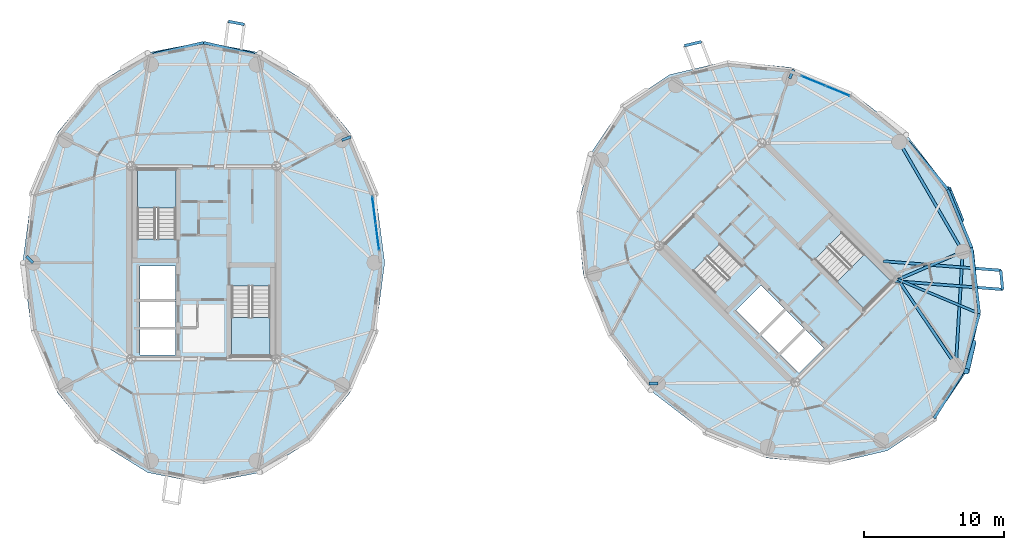
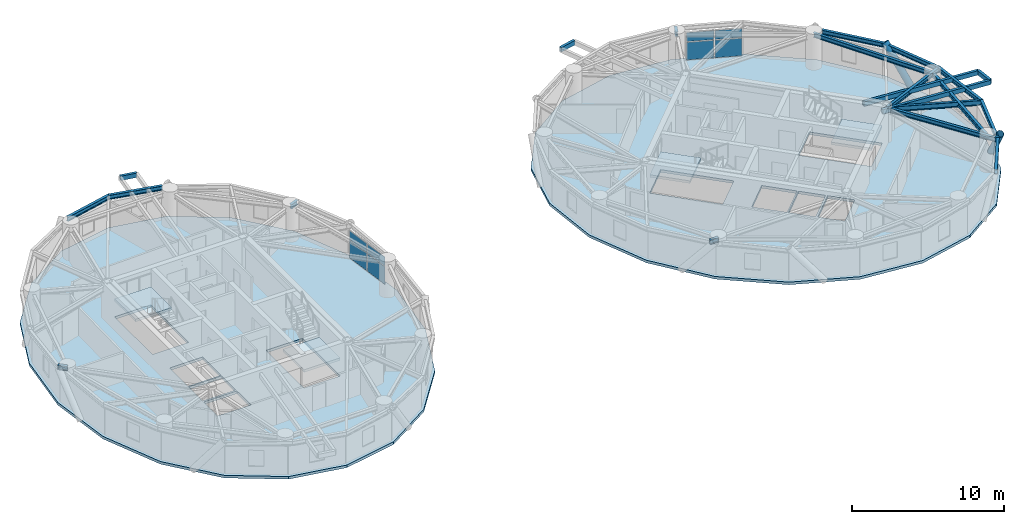
# One storey, part 7 of 16: 21 beams, 8 plates, 6 slabs, 2 members, 6 elements without a shape of their own.
"""IFC4 building model written with IfcOpenShell, lengths in metres."""

from ifc_helpers import new_model, si_unit, direction, frame, origin, origin_2d, place, context, subcontext, project, spatial, polyline, rectangle, hollow_rectangle, hollow_circle, i_section, outline, extrude, source, transform, mapped, material, layer, layer_set, material_profile, profile_set, type_object, element, aggregate, save


model = new_model("IFC4")

# Units and contexts
model_context = context("Model", 3, precision=1e-05, world=origin(), true_north=direction((0.0, 1.0)))
body_context = subcontext(model_context, "Body", "Model", "MODEL_VIEW")
ifc_project = project(units=[si_unit("LENGTHUNIT", "METRE"), si_unit("AREAUNIT", "SQUARE_METRE"), si_unit("VOLUMEUNIT", "CUBIC_METRE"), si_unit("PLANEANGLEUNIT", "RADIAN"), si_unit("MASSUNIT", "GRAM", prefix="KILO")], contexts=[model_context])

# Site, building, storey
site_placement = place(None, origin())
site = spatial("IfcSite", under=ifc_project, at=site_placement, CompositionType="ELEMENT")
building_placement = place(site_placement, origin())
building = spatial("IfcBuilding", under=site, at=building_placement, Name="Cununo Teusaquillo Station Towers", CompositionType="ELEMENT")
storey_placement = place(building_placement, frame((0.0, 0.0, 211.2099609375)))
storey = spatial("IfcBuildingStorey", under=building, at=storey_placement, Name="L67", CompositionType="ELEMENT", Elevation=211.2099609375)

# Beams
ifc_material_1 = material(Name="Steel EN 10025-2 S355J2", Category="steel")
ifc_material_profile_1 = material_profile(ifc_material_1, hollow_rectangle(XDim=0.199951171875, YDim=0.35009765625, WallThickness=0.013916015625, at=origin_2d()), Name="RHS 350x200x14")
ifc_profile_set_1 = profile_set([ifc_material_profile_1], Name="Steel EN 10025-2 S355J2")
beam_type_1 = type_object("IfcBeamType", Name="BM-BAL-CANT", PredefinedType="BEAM", material=ifc_profile_set_1)
beam_1_placement = place(storey_placement, frame((65.602783203125, 23.1982421875, 2.525146484375), z_axis=(0.997032447952, -0.076982450804, 0.0), x_axis=(0.076982450804, 0.997032447952, 0.0)))
element("IfcBeam", 1, at=beam_1_placement, inside=storey, type_object=beam_type_1, Name="L67 Tower B Balcony Cantilever Bracket 2A", PredefinedType="BEAM", context=body_context, shape_type="SweptSolid", body=[
    extrude(hollow_rectangle(XDim=0.199951171875, YDim=0.35009765625, WallThickness=0.013916015625, at=origin_2d()), origin(), (0.0, 0.0, 1.0), 7.89990234375),
])
beam_2_placement = place(storey_placement, frame((64.966064453125, 24.599853515625, 2.525146484375), z_axis=(0.997033941401, -0.076963106063, 0.0), x_axis=(0.076963106063, 0.997033941401, 0.0)))
element("IfcBeam", 2, at=beam_2_placement, inside=storey, type_object=beam_type_1, Name="L67 Tower B Balcony Cantilever Bracket 2B", PredefinedType="BEAM", context=body_context, shape_type="SweptSolid", body=[
    extrude(hollow_rectangle(XDim=0.199951171875, YDim=0.35009765625, WallThickness=0.013916015625, at=origin_2d()), origin(), (0.0, 0.0, 1.0), 8.403076171875),
])
ifc_material_2 = material(Name="Steel ASTM A572 Grade 50", Category="steel")
ifc_material_profile_2 = material_profile(ifc_material_2, i_section(OverallWidth=0.180908203125, OverallDepth=0.4169921875, WebThickness=0.010986328125, FlangeThickness=0.018310546875, FilletRadius=0.012939453125, at=origin_2d()), Name="W16X57")
ifc_profile_set_2 = profile_set([ifc_material_profile_2], Name="Steel ASTM A572 Grade 50")
beam_type_2 = type_object("IfcBeamType", Name="BM-JOIST-1", PredefinedType="JOIST", material=ifc_profile_set_2)
beam_3_placement = place(storey_placement, frame((66.024169921875, 23.29443359375, 2.491455078125), z_axis=(0.922169338565, -0.386786389381, 0.0), x_axis=(0.386786389381, 0.922169338565, 0.0)))
element("IfcBeam", 3, at=beam_3_placement, inside=storey, type_object=beam_type_2, Name="L67 Tower B Radial Spandrel Joist V17", PredefinedType="JOIST", context=body_context, shape_type="SweptSolid", body=[
    extrude(i_section(OverallWidth=0.180908203125, OverallDepth=0.4169921875, WebThickness=0.010986328125, FlangeThickness=0.018310546875, FilletRadius=0.012939453125, at=origin_2d()), origin(), (0.0, 0.0, 1.0), 6.281005859375),
])
ifc_material_3 = material(Name="Steel ASTM A572 Grade 50", Category="steel")
ifc_material_profile_3 = material_profile(ifc_material_3, i_section(OverallWidth=0.2041015625, OverallDepth=0.35009765625, WebThickness=0.008544921875, FlangeThickness=0.01513671875, FilletRadius=0.011962890625, at=origin_2d()), Name="W14X48")
ifc_profile_set_3 = profile_set([ifc_material_profile_3], Name="Steel ASTM A572 Grade 50")
beam_type_3 = type_object("IfcBeamType", Name="BM-RAD-G3", PredefinedType="BEAM", material=ifc_profile_set_3)
beam_4_placement = place(storey_placement, frame((26.347412109375, 33.228515625, 2.525146484375), z_axis=(0.929761307449, 0.368162886738, 0.0), x_axis=(-0.368162886738, 0.929761307449, 0.0)))
element("IfcBeam", 4, at=beam_4_placement, inside=storey, type_object=beam_type_3, Name="L67 Tower A Perimeter Overhang Girder 02B", PredefinedType="BEAM", context=body_context, shape_type="SweptSolid", body=[
    extrude(i_section(OverallWidth=0.2041015625, OverallDepth=0.35009765625, WebThickness=0.008544921875, FlangeThickness=0.01513671875, FilletRadius=0.011962890625, at=origin_2d()), origin(), (0.0, 0.0, 1.0), 0.691650390625),
])
beam_5_placement = place(storey_placement, frame((4.327880859375, 24.5, 2.525146484375), z_axis=(-0.712904743691, 0.701260883283, 0.0), x_axis=(-0.701260883283, -0.712904743691, 0.0)))
element("IfcBeam", 5, at=beam_5_placement, inside=storey, type_object=beam_type_3, Name="L67 Tower A Perimeter Overhang Girder 06B", PredefinedType="BEAM", context=body_context, shape_type="SweptSolid", body=[
    extrude(i_section(OverallWidth=0.2041015625, OverallDepth=0.35009765625, WebThickness=0.008544921875, FlangeThickness=0.01513671875, FilletRadius=0.011962890625, at=origin_2d()), origin(), (0.0, 0.0, 1.0), 0.64990234375),
])
beam_6_placement = place(storey_placement, frame((58.291015625, 37.63525390625, 2.525146484375), z_axis=(0.397409333503, 0.917641445034, 0.0), x_axis=(-0.917641445034, 0.397409333503, 0.0)))
element("IfcBeam", 6, at=beam_6_placement, inside=storey, type_object=beam_type_3, Name="L67 Tower B Perimeter Overhang Girder 02B", PredefinedType="BEAM", context=body_context, shape_type="SweptSolid", body=[
    extrude(i_section(OverallWidth=0.2041015625, OverallDepth=0.35009765625, WebThickness=0.008544921875, FlangeThickness=0.01513671875, FilletRadius=0.011962890625, at=origin_2d()), origin(), (0.0, 0.0, 1.0), 0.691650390625),
])
beam_7_placement = place(storey_placement, frame((48.89306640625, 15.89306640625, 2.525146484375), z_axis=(-0.999962704276, -0.008636553586, 0.0), x_axis=(0.008636553586, -0.999962704276, 0.0)))
element("IfcBeam", 7, at=beam_7_placement, inside=storey, type_object=beam_type_3, Name="L67 Tower B Perimeter Overhang Girder 06B", PredefinedType="BEAM", context=body_context, shape_type="SweptSolid", body=[
    extrude(i_section(OverallWidth=0.2041015625, OverallDepth=0.35009765625, WebThickness=0.008544921875, FlangeThickness=0.01513671875, FilletRadius=0.011962890625, at=origin_2d()), origin(), (0.0, 0.0, 1.0), 0.650146484375),
])
beam_8_placement = place(storey_placement, frame((66.024169921875, 23.29443359375, 2.525146484375), z_axis=(0.558570844079, -0.829456817529, 0.0), x_axis=(0.829456817529, 0.558570844079, 0.0)))
element("IfcBeam", 8, at=beam_8_placement, inside=storey, type_object=beam_type_3, Name="L67 Tower B Continuous Overhanging Radial Girder 09", PredefinedType="BEAM", context=body_context, shape_type="SweptSolid", body=[
    extrude(i_section(OverallWidth=0.2041015625, OverallDepth=0.35009765625, WebThickness=0.008544921875, FlangeThickness=0.01513671875, FilletRadius=0.011962890625, at=origin_2d()), origin(), (0.0, 0.0, 1.0), 8.1240234375),
])
beam_9_placement = place(storey_placement, frame((66.024169921875, 23.29443359375, 2.525146484375), z_axis=(0.917665176837, 0.397354530893, 0.0), x_axis=(-0.397354530893, 0.917665176837, 0.0)))
element("IfcBeam", 9, at=beam_9_placement, inside=storey, type_object=beam_type_3, Name="L67 Tower B Continuous Overhanging Radial Girder 10", PredefinedType="BEAM", context=body_context, shape_type="SweptSolid", body=[
    extrude(i_section(OverallWidth=0.2041015625, OverallDepth=0.35009765625, WebThickness=0.008544921875, FlangeThickness=0.01513671875, FilletRadius=0.011962890625, at=origin_2d()), origin(), (0.0, 0.0, 1.0), 5.716552734375),
])
ifc_material_4 = material(Name="Steel ASTM A572 Grade 50", Category="steel")
ifc_material_profile_4 = material_profile(ifc_material_4, i_section(OverallWidth=0.2041015625, OverallDepth=0.35009765625, WebThickness=0.008544921875, FlangeThickness=0.01513671875, FilletRadius=0.011962890625, at=origin_2d()), Name="W14X48")
ifc_profile_set_4 = profile_set([ifc_material_profile_4], Name="Steel ASTM A572 Grade 50")
beam_type_4 = type_object("IfcBeamType", Name="BM-RING-Z4", PredefinedType="SPANDREL", material=ifc_profile_set_4)
for number, where, z_axis, x_axis, name in (
    (10, (20.118896484375, 39.353515625, 2.525146484375), (-0.97431470066, 0.225190728224, 0.0), (-0.225190728224, -0.97431470066, 0.0), "L67 Tower A Spandrel Ring Beam 05"),
    (11, (16.5, 40.18994140625, 2.525146484375), (-0.97431470066, -0.225190728224, 0.0), (0.225190728224, -0.97431470066, 0.0), "L67 Tower A Spandrel Ring Beam 06"),
):
    element("IfcBeam", number, at=place(storey_placement, frame(where, z_axis=z_axis, x_axis=x_axis)), inside=storey, type_object=beam_type_4, Name=name, PredefinedType="SPANDREL", context=body_context, shape_type="SweptSolid", body=[
        extrude(i_section(OverallWidth=0.2041015625, OverallDepth=0.35009765625, WebThickness=0.008544921875, FlangeThickness=0.01513671875, FilletRadius=0.011962890625, at=origin_2d()), origin(), (0.0, 0.0, 1.0), 3.71435546875),
    ])
beam_10_placement = place(storey_placement, frame((70.146240234375, 17.173095703125, 2.525146484375), z_axis=(0.06012979176, 0.998190567048, 0.0), x_axis=(-0.998190567048, 0.06012979176, 0.0)))
element("IfcBeam", 12, at=beam_10_placement, inside=storey, type_object=beam_type_4, Name="L67 Tower B Structural Column Ring Girder 09", PredefinedType="SPANDREL", context=body_context, shape_type="SweptSolid", body=[
    extrude(i_section(OverallWidth=0.2041015625, OverallDepth=0.35009765625, WebThickness=0.008544921875, FlangeThickness=0.01513671875, FilletRadius=0.011962890625, at=origin_2d()), origin(), (0.0, 0.0, 1.0), 8.132568359375),
])
beam_11_placement = place(storey_placement, frame((70.63525390625, 25.291015625, 2.525146484375), z_axis=(-0.501311121078, 0.865267103202, 0.0), x_axis=(-0.865267103202, -0.501311121078, 0.0)))
element("IfcBeam", 13, at=beam_11_placement, inside=storey, type_object=beam_type_4, Name="L67 Tower B Structural Column Ring Girder 10", PredefinedType="SPANDREL", context=body_context, shape_type="SweptSolid", body=[
    extrude(i_section(OverallWidth=0.2041015625, OverallDepth=0.35009765625, WebThickness=0.008544921875, FlangeThickness=0.01513671875, FilletRadius=0.011962890625, at=origin_2d()), origin(), (0.0, 0.0, 1.0), 9.032958984375),
])
beam_12_placement = place(storey_placement, frame((68.594482421875, 13.405517578125, 2.525146484375), z_axis=(0.529715312739, 0.848175505099, 0.0), x_axis=(-0.848175505099, 0.529715312739, 0.0)))
element("IfcBeam", 14, at=beam_12_placement, inside=storey, type_object=beam_type_4, Name="L67 Tower B Spandrel Ring Beam 16", PredefinedType="SPANDREL", context=body_context, shape_type="SweptSolid", body=[
    extrude(i_section(OverallWidth=0.2041015625, OverallDepth=0.35009765625, WebThickness=0.008544921875, FlangeThickness=0.01513671875, FilletRadius=0.011962890625, at=origin_2d()), origin(), (0.0, 0.0, 1.0), 3.71435546875),
])
beam_13_placement = place(storey_placement, frame((70.56201171875, 16.555908203125, 2.525146484375), z_axis=(0.279502797802, 0.96014487762, 0.0), x_axis=(-0.96014487762, 0.279502797802, 0.0)))
element("IfcBeam", 15, at=beam_13_placement, inside=storey, type_object=beam_type_4, Name="L67 Tower B Spandrel Ring Beam 17", PredefinedType="SPANDREL", context=body_context, shape_type="SweptSolid", body=[
    extrude(i_section(OverallWidth=0.2041015625, OverallDepth=0.35009765625, WebThickness=0.008544921875, FlangeThickness=0.01513671875, FilletRadius=0.011962890625, at=origin_2d()), origin(), (0.0, 0.0, 1.0), 4.488037109375),
])
beam_14_placement = place(storey_placement, frame((71.81640625, 20.864990234375, 2.525146484375), z_axis=(-0.115452326356, 0.993313022334, 0.0), x_axis=(-0.993313022334, -0.115452326356, 0.0)))
element("IfcBeam", 16, at=beam_14_placement, inside=storey, type_object=beam_type_4, Name="L67 Tower B Spandrel Ring Beam 18", PredefinedType="SPANDREL", context=body_context, shape_type="SweptSolid", body=[
    extrude(i_section(OverallWidth=0.2041015625, OverallDepth=0.35009765625, WebThickness=0.008544921875, FlangeThickness=0.01513671875, FilletRadius=0.011962890625, at=origin_2d()), origin(), (0.0, 0.0, 1.0), 4.732666015625),
])
beam_15_placement = place(storey_placement, frame((71.27001953125, 25.56591796875, 2.525146484375), z_axis=(-0.379275405388, 0.925283830437, 0.0), x_axis=(-0.925283830437, -0.379275405388, 0.0)))
element("IfcBeam", 17, at=beam_15_placement, inside=storey, type_object=beam_type_4, Name="L67 Tower B Spandrel Ring Beam 19", PredefinedType="SPANDREL", context=body_context, shape_type="SweptSolid", body=[
    extrude(i_section(OverallWidth=0.2041015625, OverallDepth=0.35009765625, WebThickness=0.008544921875, FlangeThickness=0.01513671875, FilletRadius=0.011962890625, at=origin_2d()), origin(), (0.0, 0.0, 1.0), 4.482177734375),
])
beam_16_placement = place(storey_placement, frame((69.570068359375, 29.713134765625, 2.525146484375), z_axis=(-0.637524682095, 0.770429931739, 0.0), x_axis=(-0.770429931739, -0.637524682095, 0.0)))
element("IfcBeam", 18, at=beam_16_placement, inside=storey, type_object=beam_type_4, Name="L67 Tower B Spandrel Ring Beam 20", PredefinedType="SPANDREL", context=body_context, shape_type="SweptSolid", body=[
    extrude(i_section(OverallWidth=0.2041015625, OverallDepth=0.35009765625, WebThickness=0.008544921875, FlangeThickness=0.01513671875, FilletRadius=0.011962890625, at=origin_2d()), origin(), (0.0, 0.0, 1.0), 4.412353515625),
])
ifc_material_5 = material(Name="Steel EN 10025-2 S355J2", Category="steel")
ifc_material_profile_5 = material_profile(ifc_material_5, hollow_rectangle(XDim=0.199951171875, YDim=0.35009765625, WallThickness=0.013916015625, at=origin_2d()), Name="RHS 350x200x14")
ifc_profile_set_5 = profile_set([ifc_material_profile_5], Name="Steel EN 10025-2 S355J2")
beam_type_5 = type_object("IfcBeamType", Name="BM-STAIR-TRIM", PredefinedType="BEAM", material=ifc_profile_set_5)
beam_17_placement = place(storey_placement, frame((19.398193359375, 41.489501953125, 2.525146484375), z_axis=(-0.981857200028, 0.189621830897, 0.0), x_axis=(-0.189621830897, -0.981857200028, 0.0)))
element("IfcBeam", 19, at=beam_17_placement, inside=storey, type_object=beam_type_5, Name="L67 Tower A Balcony Edge Trimmer Beam 1", PredefinedType="BEAM", context=body_context, shape_type="SweptSolid", body=[
    extrude(hollow_rectangle(XDim=0.199951171875, YDim=0.35009765625, WallThickness=0.013916015625, at=origin_2d()), origin(), (0.0, 0.0, 1.0), 1.157470703125),
])
beam_18_placement = place(storey_placement, frame((51.9951171875, 40.255859375, 2.525146484375), z_axis=(-0.973841209742, -0.227229615606, 0.0), x_axis=(0.227229615606, -0.973841209742, 0.0)))
element("IfcBeam", 20, at=beam_18_placement, inside=storey, type_object=beam_type_5, Name="L67 Tower B Balcony Edge Trimmer Beam 1", PredefinedType="BEAM", context=body_context, shape_type="SweptSolid", body=[
    extrude(hollow_rectangle(XDim=0.199951171875, YDim=0.35009765625, WallThickness=0.013916015625, at=origin_2d()), origin(), (0.0, 0.0, 1.0), 1.240966796875),
])
beam_19_placement = place(storey_placement, frame((73.479248046875, 22.590087890625, 2.525146484375), z_axis=(-0.098568340868, 0.995130284022, 0.0), x_axis=(-0.995130284022, -0.098568340868, 0.0)))
element("IfcBeam", 21, at=beam_19_placement, inside=storey, type_object=beam_type_5, Name="L67 Tower B Balcony Edge Trimmer Beam 2", PredefinedType="BEAM", context=body_context, shape_type="SweptSolid", body=[
    extrude(hollow_rectangle(XDim=0.199951171875, YDim=0.35009765625, WallThickness=0.013916015625, at=origin_2d()), origin(), (0.0, 0.0, 1.0), 1.36962890625),
])

# Members
ifc_material_6 = material(Name="Steel EN 10025-2 S355J2", Category="steel")
ifc_material_profile_6 = material_profile(ifc_material_6, hollow_circle(Radius=0.25390625, WallThickness=0.01806640625, at=origin_2d()), Name="CHS 508x18")
ifc_profile_set_6 = profile_set([ifc_material_profile_6], Name="Steel EN 10025-2 S355J2")
member_type = type_object("IfcMemberType", Name="MBR-DIAG-Z4", PredefinedType="BRACE", material=ifc_profile_set_6)
member_1_placement = place(storey_placement, frame((71.337890625, 18.810791015625, -0.139892578125), z_axis=(-0.13314050396, -0.571621092256, 0.809643707499), x_axis=(0.973930772574, -0.226845432471, 0.0)))
element("IfcMember", 22, at=member_1_placement, inside=storey, type_object=member_type, Name="L67 Tower B Folded-Zigzag Diagrid Tube C16", PredefinedType="BRACE", context=body_context, shape_type="SweptSolid", body=[
    extrude(hollow_circle(Radius=0.25390625, WallThickness=0.01806640625, at=origin_2d()), origin(), (0.0, 0.0, 1.0), 3.593994140625),
])
member_2_placement = place(storey_placement, frame((70.47119140625, 27.521484375, -0.139892578125), z_axis=(-0.240125007618, 0.584015766292, 0.775413157896), x_axis=(-0.924874275738, -0.380273025704, 0.0)))
element("IfcMember", 23, at=member_2_placement, inside=storey, type_object=member_type, Name="L67 Tower B Folded-Zigzag Diagrid Tube C18", PredefinedType="BRACE", context=body_context, shape_type="SweptSolid", body=[
    extrude(hollow_circle(Radius=0.25390625, WallThickness=0.01806640625, at=origin_2d()), origin(), (0.0, 0.0, 1.0), 3.752685546875),
])

# Stair, slab
ifc_material_7 = material(Name="Concrete C50/60", Category="concrete")
stair_type = type_object("IfcStairType", Name="ST-TWR-1300", PredefinedType="HALF_TURN_STAIR", material=ifc_material_7)
stair_1_placement = place(storey_placement, origin())
stair_1 = element("IfcStair", 24, at=stair_1_placement, inside=storey, type_object=stair_type, Name="L67 Tower A Protected Core Exit Stair 1", PredefinedType="HALF_TURN_STAIR")
ifc_material_8 = material(Name="Concrete C50/60", Category="concrete")
ifc_layer_1 = layer(ifc_material_8, 0.199951171875)
ifc_layer_set_1 = layer_set([ifc_layer_1], Name="Concrete C50/60")
slab_type_1 = type_object("IfcSlabType", Name="SLB-STAIR-LND", PredefinedType="LANDING", material=ifc_layer_set_1)
slab_1_placement = place(storey_placement, frame((0.0, 0.0, 1.255126953125)))
slab_1 = element("IfcSlab", 25, at=slab_1_placement, type_object=slab_type_1, Name="ST-T1-1 landing 1", PredefinedType="LANDING", context=body_context, shape_type="SweptSolid", body=[
    extrude(outline(polyline([(14.52001953125, 28.409912109375), (14.52001953125, 31.159912109375), (11.760009765625, 31.159912109375), (11.760009765625, 28.409912109375), (14.52001953125, 28.409912109375)])), origin(), (0.0, 0.0, 1.0), 0.199951171875),
])
aggregate(stair_1, [slab_1])

stair_2_placement = place(storey_placement, origin())
stair_2 = element("IfcStair", 26, at=stair_2_placement, inside=storey, type_object=stair_type, Name="L67 Tower A Protected Core Exit Stair 2", PredefinedType="HALF_TURN_STAIR")
slab_2_placement = place(storey_placement, frame((0.0, 0.0, 1.255126953125)))
slab_2 = element("IfcSlab", 27, at=slab_2_placement, type_object=slab_type_1, Name="ST-T1-2 landing 1", PredefinedType="LANDING", context=body_context, shape_type="SweptSolid", body=[
    extrude(outline(polyline([(18.47998046875, 20.590087890625), (18.47998046875, 17.840087890625), (21.239990234375, 17.840087890625), (21.239990234375, 20.590087890625), (18.47998046875, 20.590087890625)])), origin(), (0.0, 0.0, 1.0), 0.199951171875),
])
aggregate(stair_2, [slab_2])

stair_3_placement = place(storey_placement, origin())
stair_3 = element("IfcStair", 28, at=stair_3_placement, inside=storey, type_object=stair_type, Name="L67 Tower B Protected Core Exit Stair 1", PredefinedType="HALF_TURN_STAIR")
slab_3_placement = place(storey_placement, frame((0.0, 0.0, 1.255126953125)))
slab_3 = element("IfcSlab", 29, at=slab_3_placement, type_object=slab_type_1, Name="ST-T2-1 landing 1", PredefinedType="LANDING", context=body_context, shape_type="SweptSolid", body=[
    extrude(outline(polyline([(53.335205078125, 25.86474609375), (51.390625, 27.809326171875), (49.43896484375, 25.857666015625), (51.383544921875, 23.9130859375), (53.335205078125, 25.86474609375)])), origin(), (0.0, 0.0, 1.0), 0.199951171875),
])
aggregate(stair_3, [slab_3])

stair_4_placement = place(storey_placement, origin())
stair_4 = element("IfcStair", 30, at=stair_4_placement, inside=storey, type_object=stair_type, Name="L67 Tower B Protected Core Exit Stair 2", PredefinedType="HALF_TURN_STAIR")
slab_4_placement = place(storey_placement, frame((0.0, 0.0, 1.255126953125)))
slab_4 = element("IfcSlab", 31, at=slab_4_placement, type_object=slab_type_1, Name="ST-T2-2 landing 1", PredefinedType="LANDING", context=body_context, shape_type="SweptSolid", body=[
    extrude(outline(polyline([(61.664794921875, 23.13525390625), (63.609375, 21.190673828125), (65.56103515625, 23.142333984375), (63.616455078125, 25.0869140625), (61.664794921875, 23.13525390625)])), origin(), (0.0, 0.0, 1.0), 0.199951171875),
])
aggregate(stair_4, [slab_4])

# Slabs
ifc_material_9 = material(Name="Concrete C40/50", Category="concrete")
ifc_layer_2 = layer(ifc_material_9, 0.2099609375)
ifc_layer_set_2 = layer_set([ifc_layer_2], Name="Concrete C40/50")
slab_type_2 = type_object("IfcSlabType", Name="SLB-Z4-200", PredefinedType="FLOOR", material=ifc_layer_set_2)
slab_5_placement = place(storey_placement, frame((0.0, 0.0, -0.2099609375)))
element("IfcSlab", 32, at=slab_5_placement, inside=storey, type_object=slab_type_2, Name="L67 Tower A Floor Slab", PredefinedType="FLOOR", context=body_context, shape_type="SweptSolid", body=[
    extrude(outline(polyline([(29.409912109375, 24.5), (28.778076171875, 29.366943359375), (26.9443359375, 33.757568359375), (24.08837890625, 37.241943359375), (20.489501953125, 39.47900390625), (16.5, 40.25), (12.510498046875, 39.47900390625), (8.91162109375, 37.241943359375), (6.0556640625, 33.757568359375), (4.221923828125, 29.366943359375), (3.590087890625, 24.5), (4.221923828125, 19.633056640625), (6.0556640625, 15.242431640625), (8.91162109375, 11.758056640625), (12.510498046875, 9.52099609375), (16.5, 8.75), (20.489501953125, 9.52099609375), (24.08837890625, 11.758056640625), (26.9443359375, 15.242431640625), (28.778076171875, 19.633056640625), (29.409912109375, 24.5)]), holes=[polyline([(14.52001953125, 26.176025390625), (14.52001953125, 31.159912109375), (11.760009765625, 31.159912109375), (11.760009765625, 26.176025390625), (14.52001953125, 26.176025390625)]), polyline([(18.47998046875, 22.823974609375), (18.47998046875, 17.840087890625), (21.239990234375, 17.840087890625), (21.239990234375, 22.823974609375), (18.47998046875, 22.823974609375)]), polyline([(11.949951171875, 21.85009765625), (14.47998046875, 21.85009765625), (14.47998046875, 24.25), (11.949951171875, 24.25), (11.949951171875, 21.85009765625)]), polyline([(11.949951171875, 17.89990234375), (14.47998046875, 17.89990234375), (14.47998046875, 19.75), (11.949951171875, 19.75), (11.949951171875, 17.89990234375)]), polyline([(11.949951171875, 19.89990234375), (14.47998046875, 19.89990234375), (14.47998046875, 21.75), (11.949951171875, 21.75), (11.949951171875, 19.89990234375)])]), origin(), (0.0, 0.0, 1.0), 0.2099609375),
])
slab_6_placement = place(storey_placement, frame((0.0, 0.0, -0.2099609375)))
element("IfcSlab", 33, at=slab_6_placement, inside=storey, type_object=slab_type_2, Name="L67 Tower B Floor Slab", PredefinedType="FLOOR", context=body_context, shape_type="SweptSolid", body=[
    extrude(outline(polyline([(66.628662109375, 33.628662109375), (62.740478515625, 36.623291015625), (58.339111328125, 38.431396484375), (53.855712890625, 38.875732421875), (49.72900390625, 37.912841796875), (46.363037109375, 35.636962890625), (44.087158203125, 32.27099609375), (43.124267578125, 28.144287109375), (43.568603515625, 23.660888671875), (45.376708984375, 19.259521484375), (48.371337890625, 15.371337890625), (52.259521484375, 12.376708984375), (56.660888671875, 10.568603515625), (61.144287109375, 10.124267578125), (65.27099609375, 11.087158203125), (68.636962890625, 13.363037109375), (70.912841796875, 16.72900390625), (71.875732421875, 20.855712890625), (71.431396484375, 25.339111328125), (69.623291015625, 29.740478515625), (66.628662109375, 33.628662109375)]), holes=[polyline([(54.914794921875, 24.28515625), (51.390625, 27.809326171875), (49.43896484375, 25.857666015625), (52.963134765625, 22.33349609375), (54.914794921875, 24.28515625)]), polyline([(60.085205078125, 24.71484375), (63.609375, 21.190673828125), (65.56103515625, 23.142333984375), (62.036865234375, 26.66650390625), (60.085205078125, 24.71484375)]), polyline([(56.156494140625, 19.40869140625), (57.945556640625, 21.19775390625), (56.248291015625, 22.89501953125), (54.45947265625, 21.10595703125), (56.156494140625, 19.40869140625)]), polyline([(58.94970703125, 16.61572265625), (60.738525390625, 18.40478515625), (59.430419921875, 19.712890625), (57.641357421875, 17.923828125), (58.94970703125, 16.61572265625)]), polyline([(57.535400390625, 18.030029296875), (59.32421875, 19.819091796875), (58.01611328125, 21.127197265625), (56.227294921875, 19.338134765625), (57.535400390625, 18.030029296875)])]), origin(), (0.0, 0.0, 1.0), 0.2099609375),
])

# Curtain wall, plates
ifc_material_10 = material(Name="Ceramic-fritted dark low-E double glazing", Category="glass")
ifc_layer_3 = layer(ifc_material_10, 0.179931640625)
ifc_layer_set_3 = layer_set([ifc_layer_3], Name="Ceramic-fritted dark low-E double glazing")
curtain_wall_type = type_object("IfcCurtainWallType", Name="CW-SYS-07", PredefinedType="USERDEFINED", material=ifc_layer_set_3)
curtain_wall_1_placement = place(storey_placement, origin())
curtain_wall_1 = element("IfcCurtainWall", 34, at=curtain_wall_1_placement, inside=storey, type_object=curtain_wall_type, Name="L67 Tower A Facade Curtain Wall C00", ObjectType="FRITTED GLAZING", PredefinedType="USERDEFINED")
ifc_material_11 = material(Name="Ceramic-fritted dark low-E double glazing", Category="glass")
ifc_layer_4 = layer(ifc_material_11, 0.028076171875)
ifc_layer_set_4 = layer_set([ifc_layer_4], Name="Ceramic-fritted dark low-E double glazing")
plate_type = type_object("IfcPlateType", Name="CWP-FRIT-28", PredefinedType="CURTAIN_PANEL", material=ifc_layer_set_4)
shared_shape_1 = source(origin(), body_context, "Body", "SweptSolid", [
    extrude(rectangle(XDim=1.8876953125, YDim=0.028076171875, at=origin_2d()), origin(), (0.0, 0.0, 1.0), 1.41162109375),
])
plate_1_placement = place(storey_placement, frame((28.64111328125, 28.280029296875, 0.06494140625), z_axis=(0.0, 0.0, 1.0), x_axis=(0.12825264413, -0.991741528461, 0.0)))
plate_1 = element("IfcPlate", 35, at=plate_1_placement, type_object=plate_type, Name="CW-07 panel 1.1", PredefinedType="CURTAIN_PANEL", context=body_context, shape_type="MappedRepresentation", body=[
    mapped(shared_shape_1, transform((0.0, 0.0, 0.0), x_axis=(1.0, 0.0, 0.0), y_axis=(0.0, 1.0, 0.0), z_axis=(0.0, 0.0, 1.0), scale=1.0)),
])
plate_2_placement = place(storey_placement, frame((28.8916015625, 26.343505859375, 0.06494140625), z_axis=(0.0, 0.0, 1.0), x_axis=(0.12825264413, -0.991741528461, 0.0)))
plate_2 = element("IfcPlate", 36, at=plate_2_placement, type_object=plate_type, Name="CW-07 panel 2.1", PredefinedType="CURTAIN_PANEL", context=body_context, shape_type="MappedRepresentation", body=[
    mapped(shared_shape_1, transform((0.0, 0.0, 0.0), x_axis=(1.0, 0.0, 0.0), y_axis=(0.0, 1.0, 0.0), z_axis=(0.0, 0.0, 1.0), scale=1.0)),
])
shared_shape_2 = source(origin(), body_context, "Body", "SweptSolid", [
    extrude(rectangle(XDim=1.8876953125, YDim=0.028076171875, at=origin_2d()), origin(), (0.0, 0.0, 1.0), 0.715576171875),
])
plate_3_placement = place(storey_placement, frame((28.64111328125, 28.280029296875, 1.54150390625), z_axis=(0.0, 0.0, 1.0), x_axis=(0.12825264413, -0.991741528461, 0.0)))
plate_3 = element("IfcPlate", 37, at=plate_3_placement, type_object=plate_type, Name="CW-07 panel 1.2", PredefinedType="CURTAIN_PANEL", context=body_context, shape_type="MappedRepresentation", body=[
    mapped(shared_shape_2, transform((0.0, 0.0, 0.0), x_axis=(1.0, 0.0, 0.0), y_axis=(0.0, 1.0, 0.0), z_axis=(0.0, 0.0, 1.0), scale=1.0)),
])
plate_4_placement = place(storey_placement, frame((28.8916015625, 26.343505859375, 1.54150390625), z_axis=(0.0, 0.0, 1.0), x_axis=(0.12825264413, -0.991741528461, 0.0)))
plate_4 = element("IfcPlate", 38, at=plate_4_placement, type_object=plate_type, Name="CW-07 panel 2.2", PredefinedType="CURTAIN_PANEL", context=body_context, shape_type="MappedRepresentation", body=[
    mapped(shared_shape_2, transform((0.0, 0.0, 0.0), x_axis=(1.0, 0.0, 0.0), y_axis=(0.0, 1.0, 0.0), z_axis=(0.0, 0.0, 1.0), scale=1.0)),
])
aggregate(curtain_wall_1, [plate_1, plate_3, plate_2, plate_4])

curtain_wall_2_placement = place(storey_placement, origin())
curtain_wall_2 = element("IfcCurtainWall", 39, at=curtain_wall_2_placement, inside=storey, type_object=curtain_wall_type, Name="L67 Tower B Facade Curtain Wall C01", ObjectType="FRITTED GLAZING", PredefinedType="USERDEFINED")
shared_shape_3 = source(origin(), body_context, "Body", "SweptSolid", [
    extrude(rectangle(XDim=1.81298828125, YDim=0.028076171875, at=origin_2d()), origin(), (0.0, 0.0, 1.0), 1.41162109375),
])
plate_5_placement = place(storey_placement, frame((59.979248046875, 37.46044921875, 0.06494140625), z_axis=(0.0, 0.0, 1.0), x_axis=(0.924447019904, -0.381310513086, 0.0)))
plate_5 = element("IfcPlate", 40, at=plate_5_placement, type_object=plate_type, Name="CW-07 panel 1.1", PredefinedType="CURTAIN_PANEL", context=body_context, shape_type="MappedRepresentation", body=[
    mapped(shared_shape_3, transform((0.0, 0.0, 0.0), x_axis=(1.0, 0.0, 0.0), y_axis=(0.0, 1.0, 0.0), z_axis=(0.0, 0.0, 1.0), scale=1.0)),
])
plate_6_placement = place(storey_placement, frame((61.71533203125, 36.744384765625, 0.06494140625), z_axis=(0.0, 0.0, 1.0), x_axis=(0.924447019904, -0.381310513086, 0.0)))
plate_6 = element("IfcPlate", 41, at=plate_6_placement, type_object=plate_type, Name="CW-07 panel 2.1", PredefinedType="CURTAIN_PANEL", context=body_context, shape_type="MappedRepresentation", body=[
    mapped(shared_shape_3, transform((0.0, 0.0, 0.0), x_axis=(1.0, 0.0, 0.0), y_axis=(0.0, 1.0, 0.0), z_axis=(0.0, 0.0, 1.0), scale=1.0)),
])
shared_shape_4 = source(origin(), body_context, "Body", "SweptSolid", [
    extrude(rectangle(XDim=1.81298828125, YDim=0.028076171875, at=origin_2d()), origin(), (0.0, 0.0, 1.0), 0.715576171875),
])
plate_7_placement = place(storey_placement, frame((59.979248046875, 37.46044921875, 1.54150390625), z_axis=(0.0, 0.0, 1.0), x_axis=(0.924447019904, -0.381310513086, 0.0)))
plate_7 = element("IfcPlate", 42, at=plate_7_placement, type_object=plate_type, Name="CW-07 panel 1.2", PredefinedType="CURTAIN_PANEL", context=body_context, shape_type="MappedRepresentation", body=[
    mapped(shared_shape_4, transform((0.0, 0.0, 0.0), x_axis=(1.0, 0.0, 0.0), y_axis=(0.0, 1.0, 0.0), z_axis=(0.0, 0.0, 1.0), scale=1.0)),
])
plate_8_placement = place(storey_placement, frame((61.71533203125, 36.744384765625, 1.54150390625), z_axis=(0.0, 0.0, 1.0), x_axis=(0.924447019904, -0.381310513086, 0.0)))
plate_8 = element("IfcPlate", 43, at=plate_8_placement, type_object=plate_type, Name="CW-07 panel 2.2", PredefinedType="CURTAIN_PANEL", context=body_context, shape_type="MappedRepresentation", body=[
    mapped(shared_shape_4, transform((0.0, 0.0, 0.0), x_axis=(1.0, 0.0, 0.0), y_axis=(0.0, 1.0, 0.0), z_axis=(0.0, 0.0, 1.0), scale=1.0)),
])
aggregate(curtain_wall_2, [plate_5, plate_7, plate_6, plate_8])

save(model, "model.ifc")
